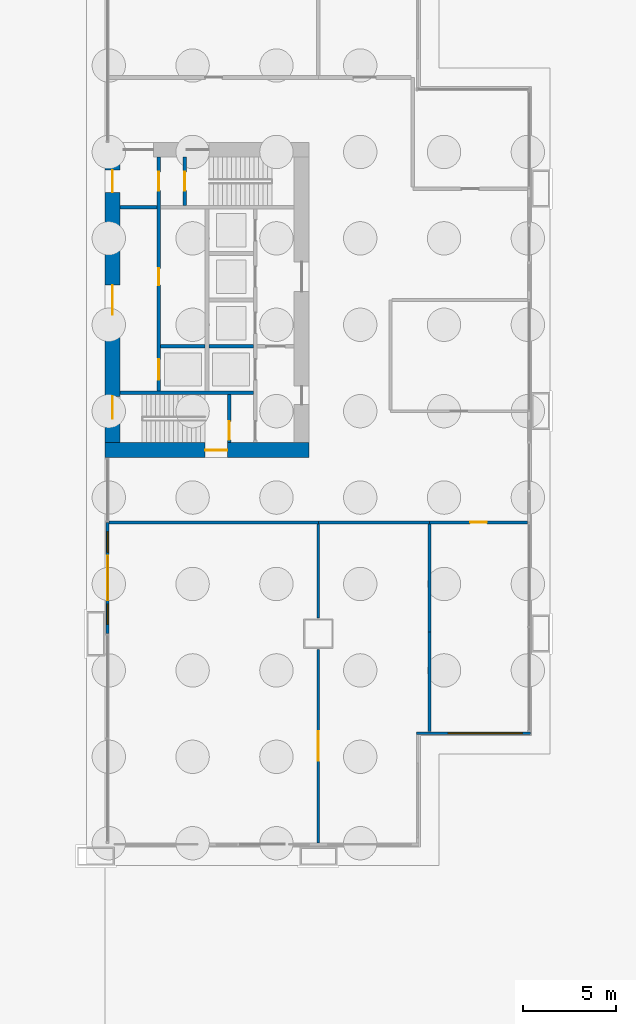
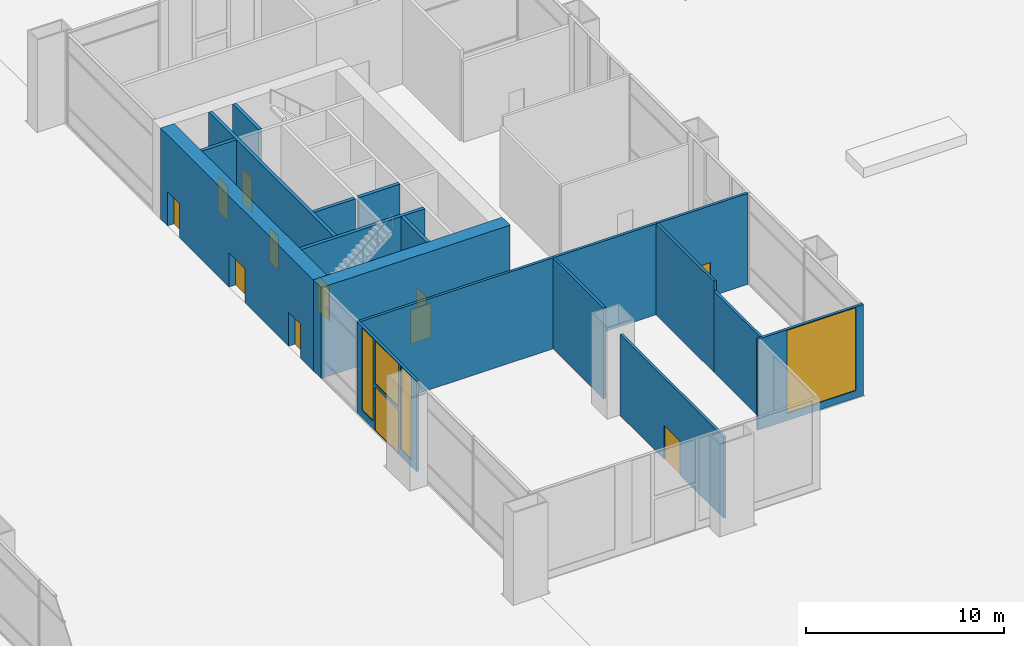
# One storey, part 22 of 29: 18 walls, 12 doors, 4 windows, 16 openings.
"""IFC4 building model written with IfcOpenShell, lengths in metres."""

from ifc_helpers import new_model, si_unit, direction, frame, frame_2d, origin, place, context, subcontext, project, spatial, rectangle, extrude, material, layer, layer_set, type_object, element, fill, save


model = new_model("IFC4")

# Units and contexts
model_context = context("Model", 3, precision=1e-05, world=origin(), true_north=direction((0.0, 1.0)))
body_context = subcontext(model_context, "Body", "Model", "MODEL_VIEW")
ifc_project = project(units=[si_unit("LENGTHUNIT", "METRE"), si_unit("AREAUNIT", "SQUARE_METRE"), si_unit("VOLUMEUNIT", "CUBIC_METRE"), si_unit("PLANEANGLEUNIT", "RADIAN"), si_unit("MASSUNIT", "GRAM", prefix="KILO")], contexts=[model_context])

# Site, building, storey
site_placement = place(None, origin())
site = spatial("IfcSite", under=ifc_project, at=site_placement, CompositionType="ELEMENT")
building_placement = place(site_placement, origin())
building = spatial("IfcBuilding", under=site, at=building_placement, Name="Kitamizu Gate Tower and Museum", CompositionType="ELEMENT")
storey_placement = place(building_placement, origin())
storey = spatial("IfcBuildingStorey", under=building, at=storey_placement, Name="L00", CompositionType="ELEMENT", Elevation=0.0)

# Wall, opening, door
ifc_material_1 = material(Name="Concrete Fc60", Category="concrete")
ifc_layer_1 = layer(ifc_material_1, 0.800048828125)
ifc_layer_set_1 = layer_set([ifc_layer_1], Name="Concrete Fc60")
wall_type_1 = type_object("IfcWallType", Name="Core wall 800", PredefinedType="SHEAR", material=ifc_layer_set_1)
wall_1_placement = place(storey_placement, frame((59.5, 21.89990234375, 0.0), z_axis=(0.0, 0.0, 1.0), x_axis=(-1.0, 0.0, 0.0)))
wall_1 = element("IfcWall", 1, at=wall_1_placement, inside=storey, type_object=wall_type_1, Name="Core wall ES", PredefinedType="SHEAR", context=body_context, shape_type="SweptSolid", body=[
    extrude(rectangle(XDim=11.0, YDim=0.800048828125, at=frame_2d((5.5, 0.0))), origin(), (0.0, 0.0, 1.0), 5.60009765625),
])
opening_1_placement = place(wall_1_placement, frame((4.39990234375, 0.0, 0.0)))
opening_1 = element("IfcOpeningElement", 2, at=opening_1_placement, cuts=wall_1, Name="Opening L00-036", PredefinedType="OPENING", context=body_context, shape_type="SweptSolid", body=[
    extrude(rectangle(XDim=1.199951171875, YDim=2.10009765625, at=frame_2d((0.60009765625, 1.050048828125))), frame((0.0, 0.41015625, 0.0), z_axis=(0.0, -1.0, 0.0), x_axis=(1.0, 0.0, 0.0)), (0.0, 0.0, 1.0), 0.820068359375),
])
ifc_material_2 = material(Name="Timber door set", Category="wood")
door_type_1 = type_object("IfcDoorType", Name="Exit door 1200", OperationType="DOUBLE_DOOR_SINGLE_SWING", PredefinedType="DOOR", material=ifc_material_2)
door_1_placement = place(opening_1_placement, origin())
door_1 = element("IfcDoor", 3, at=door_1_placement, inside=storey, type_object=door_type_1, Name="Stair exit door L00-036", OperationType="DOUBLE_DOOR_SINGLE_SWING", OverallHeight=2.10009765625, OverallWidth=1.199951171875, PredefinedType="DOOR", context=body_context, shape_type="SweptSolid", body=[
    extrude(rectangle(XDim=1.199951171875, YDim=2.10009765625, at=frame_2d((0.60009765625, 1.050048828125))), frame((0.0, 0.02490234375, 0.0), z_axis=(0.0, -1.0, 0.0), x_axis=(1.0, 0.0, 0.0)), (0.0, 0.0, 1.0), 0.050048828125),
])
fill(opening_1, door_1)

# Wall, openings, doors
wall_2_placement = place(storey_placement, frame((48.89990234375, 22.300048828125, 0.0), z_axis=(0.0, 0.0, 1.0), x_axis=(0.0, 1.0, 0.0)))
wall_2 = element("IfcWall", 4, at=wall_2_placement, inside=storey, type_object=wall_type_1, Name="Core wall EARC", PredefinedType="SHEAR", context=body_context, shape_type="SweptSolid", body=[
    extrude(rectangle(XDim=15.39990234375, YDim=0.800048828125, at=frame_2d((7.699951171875, 0.0))), origin(), (0.0, 0.0, 1.0), 5.60009765625),
])
opening_2_placement = place(wall_2_placement, frame((6.89990234375, 0.0, 0.0)))
opening_2 = element("IfcOpeningElement", 5, at=opening_2_placement, cuts=wall_2, Name="Opening L00-035", PredefinedType="OPENING", context=body_context, shape_type="SweptSolid", body=[
    extrude(rectangle(XDim=1.60009765625, YDim=2.10009765625, at=frame_2d((0.800048828125, 1.050048828125))), frame((0.0, 0.41015625, 0.0), z_axis=(0.0, -1.0, 0.0), x_axis=(1.0, 0.0, 0.0)), (0.0, 0.0, 1.0), 0.820068359375),
])
opening_3_placement = place(wall_2_placement, frame((1.300048828125, 0.0, 0.0)))
opening_3 = element("IfcOpeningElement", 6, at=opening_3_placement, cuts=wall_2, Name="Opening L00-953", PredefinedType="OPENING", context=body_context, shape_type="SweptSolid", body=[
    extrude(rectangle(XDim=1.199951171875, YDim=2.10009765625, at=frame_2d((0.60009765625, 1.050048828125))), frame((0.0, 0.41015625, 0.0), z_axis=(0.0, -1.0, 0.0), x_axis=(1.0, 0.0, 0.0)), (0.0, 0.0, 1.0), 0.820068359375),
])
opening_4_placement = place(wall_2_placement, frame((13.5, 0.0, 0.0)))
opening_4 = element("IfcOpeningElement", 7, at=opening_4_placement, cuts=wall_2, Name="Opening L00-954", PredefinedType="OPENING", context=body_context, shape_type="SweptSolid", body=[
    extrude(rectangle(XDim=1.199951171875, YDim=2.10009765625, at=frame_2d((0.60009765625, 1.050048828125))), frame((0.0, 0.41015625, 0.0), z_axis=(0.0, -1.0, 0.0), x_axis=(1.0, 0.0, 0.0)), (0.0, 0.0, 1.0), 0.820068359375),
])
ifc_material_3 = material(Name="Timber door set", Category="wood")
door_type_2 = type_object("IfcDoorType", Name="Entrance door 1600", OperationType="DOUBLE_DOOR_SINGLE_SWING", PredefinedType="DOOR", material=ifc_material_3)
door_2_placement = place(opening_2_placement, origin())
door_2 = element("IfcDoor", 8, at=door_2_placement, inside=storey, type_object=door_type_2, Name="Lobby door L00-035", OperationType="DOUBLE_DOOR_SINGLE_SWING", OverallHeight=2.10009765625, OverallWidth=1.60009765625, PredefinedType="DOOR", context=body_context, shape_type="SweptSolid", body=[
    extrude(rectangle(XDim=1.60009765625, YDim=2.10009765625, at=frame_2d((0.800048828125, 1.050048828125))), frame((0.0, 0.02490234375, 0.0), z_axis=(0.0, -1.0, 0.0), x_axis=(1.0, 0.0, 0.0)), (0.0, 0.0, 1.0), 0.050048828125),
])
fill(opening_2, door_2)
door_3_placement = place(opening_3_placement, origin())
door_3 = element("IfcDoor", 9, at=door_3_placement, inside=storey, type_object=door_type_1, Name="Final exit door L00-953", OperationType="DOUBLE_DOOR_SINGLE_SWING", OverallHeight=2.10009765625, OverallWidth=1.199951171875, PredefinedType="DOOR", context=body_context, shape_type="SweptSolid", body=[
    extrude(rectangle(XDim=1.199951171875, YDim=2.10009765625, at=frame_2d((0.60009765625, 1.050048828125))), frame((0.0, 0.02490234375, 0.0), z_axis=(0.0, -1.0, 0.0), x_axis=(1.0, 0.0, 0.0)), (0.0, 0.0, 1.0), 0.050048828125),
])
fill(opening_3, door_3)
door_4_placement = place(opening_4_placement, origin())
door_4 = element("IfcDoor", 10, at=door_4_placement, inside=storey, type_object=door_type_1, Name="Final exit door L00-954", OperationType="DOUBLE_DOOR_SINGLE_SWING", OverallHeight=2.10009765625, OverallWidth=1.199951171875, PredefinedType="DOOR", context=body_context, shape_type="SweptSolid", body=[
    extrude(rectangle(XDim=1.199951171875, YDim=2.10009765625, at=frame_2d((0.60009765625, 1.050048828125))), frame((0.0, 0.02490234375, 0.0), z_axis=(0.0, -1.0, 0.0), x_axis=(1.0, 0.0, 0.0)), (0.0, 0.0, 1.0), 0.050048828125),
])
fill(opening_4, door_4)

# Walls
ifc_material_4 = material(Name="Gypsum board on galvanised stud")
ifc_layer_2 = layer(ifc_material_4, 0.14990234375)
ifc_layer_set_2 = layer_set([ifc_layer_2], Name="Gypsum board on galvanised stud")
wall_type_2 = type_object("IfcWallType", Name="Partition 150", PredefinedType="PARTITIONING", material=ifc_layer_set_2)
wall_3_placement = place(storey_placement, frame((48.719970703125, 18.0, 0.0), z_axis=(0.0, 0.0, 1.0), x_axis=(1.0, 0.0, 0.0)))
element("IfcWall", 11, at=wall_3_placement, inside=storey, type_object=wall_type_2, Name="Partition L00-012", PredefinedType="PARTITIONING", context=body_context, shape_type="SweptSolid", body=[
    extrude(rectangle(XDim=11.280029296875, YDim=0.14990234375, at=frame_2d((5.64013671875, 0.0))), origin(), (0.0, 0.0, 1.0), 5.60009765625),
])
wall_4_placement = place(storey_placement, frame((60.0, 18.0, 0.0), z_axis=(0.0, 0.0, 1.0), x_axis=(1.0, 0.0, 0.0)))
element("IfcWall", 12, at=wall_4_placement, inside=storey, type_object=wall_type_2, Name="Partition L00-013", PredefinedType="PARTITIONING", context=body_context, shape_type="SweptSolid", body=[
    extrude(rectangle(XDim=6.0, YDim=0.14990234375, at=frame_2d((3.0, 0.0))), origin(), (0.0, 0.0, 1.0), 5.60009765625),
])

# Wall, opening, door
wall_5_placement = place(storey_placement, frame((66.0, 18.0, 0.0), z_axis=(0.0, 0.0, 1.0), x_axis=(1.0, 0.0, 0.0)))
wall_5 = element("IfcWall", 13, at=wall_5_placement, inside=storey, type_object=wall_type_2, Name="Partition L00-014", PredefinedType="PARTITIONING", context=body_context, shape_type="SweptSolid", body=[
    extrude(rectangle(XDim=5.280029296875, YDim=0.14990234375, at=frame_2d((2.64013671875, 0.0))), origin(), (0.0, 0.0, 1.0), 5.60009765625),
])
opening_5_placement = place(wall_5_placement, frame((2.18994140625, 0.0, 0.0)))
opening_5 = element("IfcOpeningElement", 14, at=opening_5_placement, cuts=wall_5, Name="Opening L00-002", PredefinedType="OPENING", context=body_context, shape_type="SweptSolid", body=[
    extrude(rectangle(XDim=0.89990234375, YDim=2.10009765625, at=frame_2d((0.449951171875, 1.050048828125))), frame((0.0, 0.0849609375, 0.0), z_axis=(0.0, -1.0, 0.0), x_axis=(1.0, 0.0, 0.0)), (0.0, 0.0, 1.0), 0.169921875),
])
ifc_material_5 = material(Name="Timber door set", Category="wood")
door_type_3 = type_object("IfcDoorType", Name="Room door 900", OperationType="NOTDEFINED", PredefinedType="DOOR", material=ifc_material_5)
door_5_placement = place(opening_5_placement, frame((0.89990234375, 0.0, 0.0), x_axis=(-1.0, 0.0, 0.0)))
door_5 = element("IfcDoor", 15, at=door_5_placement, inside=storey, type_object=door_type_3, Name="Door L00-002", OperationType="SINGLE_SWING_LEFT", OverallHeight=2.10009765625, OverallWidth=0.89990234375, PredefinedType="DOOR", context=body_context, shape_type="SweptSolid", body=[
    extrude(rectangle(XDim=0.89990234375, YDim=2.10009765625, at=frame_2d((0.449951171875, 1.050048828125))), frame((0.0, 0.02490234375, 0.0), z_axis=(0.0, -1.0, 0.0), x_axis=(1.0, 0.0, 0.0)), (0.0, 0.0, 1.0), 0.050048828125),
])
fill(opening_5, door_5)

wall_6_placement = place(storey_placement, frame((60.0, 0.719970703125, 0.0), z_axis=(0.0, 0.0, 1.0), x_axis=(0.0, 1.0, 0.0)))
wall_6 = element("IfcWall", 16, at=wall_6_placement, inside=storey, type_object=wall_type_2, Name="Partition L00-022", PredefinedType="PARTITIONING", context=body_context, shape_type="SweptSolid", body=[
    extrude(rectangle(XDim=10.429931640625, YDim=0.14990234375, at=frame_2d((5.21484375, 0.0))), origin(), (0.0, 0.0, 1.0), 5.0),
])
opening_6_placement = place(wall_6_placement, frame((4.4150390625, 0.0, 0.0)))
opening_6 = element("IfcOpeningElement", 17, at=opening_6_placement, cuts=wall_6, Name="Opening L00-001", PredefinedType="OPENING", context=body_context, shape_type="SweptSolid", body=[
    extrude(rectangle(XDim=1.60009765625, YDim=2.10009765625, at=frame_2d((0.800048828125, 1.050048828125))), frame((0.0, 0.0849609375, 0.0), z_axis=(0.0, -1.0, 0.0), x_axis=(1.0, 0.0, 0.0)), (0.0, 0.0, 1.0), 0.169921875),
])
ifc_material_6 = material(Name="Timber door set", Category="wood")
door_type_4 = type_object("IfcDoorType", Name="Double door 1600", OperationType="DOUBLE_DOOR_SINGLE_SWING", PredefinedType="DOOR", material=ifc_material_6)
door_6_placement = place(opening_6_placement, origin())
door_6 = element("IfcDoor", 18, at=door_6_placement, inside=storey, type_object=door_type_4, Name="Double door L00-001", OperationType="DOUBLE_DOOR_SINGLE_SWING", OverallHeight=2.10009765625, OverallWidth=1.60009765625, PredefinedType="DOOR", context=body_context, shape_type="SweptSolid", body=[
    extrude(rectangle(XDim=1.60009765625, YDim=2.10009765625, at=frame_2d((0.800048828125, 1.050048828125))), frame((0.0, 0.02490234375, 0.0), z_axis=(0.0, -1.0, 0.0), x_axis=(1.0, 0.0, 0.0)), (0.0, 0.0, 1.0), 0.050048828125),
])
fill(opening_6, door_6)

# Walls
wall_7_placement = place(storey_placement, frame((60.0, 12.85009765625, 0.0), z_axis=(0.0, 0.0, 1.0), x_axis=(0.0, 1.0, 0.0)))
element("IfcWall", 19, at=wall_7_placement, inside=storey, type_object=wall_type_2, Name="Partition L00-023", PredefinedType="PARTITIONING", context=body_context, shape_type="SweptSolid", body=[
    extrude(rectangle(XDim=5.074951171875, YDim=0.14990234375, at=frame_2d((2.53759765625, 0.0))), origin(), (0.0, 0.0, 1.0), 5.60009765625),
])
wall_8_placement = place(storey_placement, frame((66.0, 6.719970703125, 0.0), z_axis=(0.0, 0.0, 1.0), x_axis=(0.0, 1.0, 0.0)))
element("IfcWall", 20, at=wall_8_placement, inside=storey, type_object=wall_type_2, Name="Partition L00-024", PredefinedType="PARTITIONING", context=body_context, shape_type="SweptSolid", body=[
    extrude(rectangle(XDim=5.380126953125, YDim=0.14990234375, at=frame_2d((2.68994140625, 0.0))), origin(), (0.0, 0.0, 1.0), 5.0),
])
wall_9_placement = place(storey_placement, frame((66.0, 12.10009765625, 0.0), z_axis=(0.0, 0.0, 1.0), x_axis=(0.0, 1.0, 0.0)))
element("IfcWall", 21, at=wall_9_placement, inside=storey, type_object=wall_type_2, Name="Partition L00-025", PredefinedType="PARTITIONING", context=body_context, shape_type="SweptSolid", body=[
    extrude(rectangle(XDim=5.824951171875, YDim=0.14990234375, at=frame_2d((2.91259765625, 0.0))), origin(), (0.0, 0.0, 1.0), 5.60009765625),
])

# Wall, openings, doors
ifc_material_7 = material(Name="Concrete Fc42", Category="concrete")
ifc_layer_3 = layer(ifc_material_7, 0.199951171875)
ifc_layer_set_3 = layer_set([ifc_layer_3], Name="Concrete Fc42")
wall_type_3 = type_object("IfcWallType", Name="Shaft wall 200", PredefinedType="SOLIDWALL", material=ifc_layer_set_3)
wall_10_placement = place(storey_placement, frame((51.39990234375, 25.10009765625, 0.0), z_axis=(0.0, 0.0, 1.0), x_axis=(0.0, 1.0, 0.0)))
wall_10 = element("IfcWall", 22, at=wall_10_placement, inside=storey, type_object=wall_type_3, Name="Shaft wall EEAST", PredefinedType="SOLIDWALL", context=body_context, shape_type="SweptSolid", body=[
    extrude(rectangle(XDim=12.599853515625, YDim=0.199951171875, at=frame_2d((6.2998046875, 0.0))), origin(), (0.0, 0.0, 1.0), 5.60009765625),
])
opening_7_placement = place(wall_10_placement, frame((0.60009765625, 0.0, 0.0)))
opening_7 = element("IfcOpeningElement", 23, at=opening_7_placement, cuts=wall_10, Name="Opening LD", PredefinedType="OPENING", context=body_context, shape_type="SweptSolid", body=[
    extrude(rectangle(XDim=1.10009765625, YDim=2.10009765625, at=frame_2d((0.550048828125, 1.050048828125))), frame((0.0, 0.10986328125, 0.0), z_axis=(0.0, -1.0, 0.0), x_axis=(1.0, 0.0, 0.0)), (0.0, 0.0, 1.0), 0.219970703125),
])
opening_8_placement = place(wall_10_placement, frame((10.800048828125, 0.0, 0.0)))
opening_8 = element("IfcOpeningElement", 24, at=opening_8_placement, cuts=wall_10, Name="Opening L00-029", PredefinedType="OPENING", context=body_context, shape_type="SweptSolid", body=[
    extrude(rectangle(XDim=1.0, YDim=2.10009765625, at=frame_2d((0.5, 1.050048828125))), frame((0.0, 0.10986328125, 0.0), z_axis=(0.0, -1.0, 0.0), x_axis=(1.0, 0.0, 0.0)), (0.0, 0.0, 1.0), 0.219970703125),
])
opening_9_placement = place(wall_10_placement, frame((5.699951171875, 0.0, 0.0)))
opening_9 = element("IfcOpeningElement", 25, at=opening_9_placement, cuts=wall_10, Name="Opening L00-038", PredefinedType="OPENING", context=body_context, shape_type="SweptSolid", body=[
    extrude(rectangle(XDim=0.89990234375, YDim=2.10009765625, at=frame_2d((0.449951171875, 1.050048828125))), frame((0.0, 0.10986328125, 0.0), z_axis=(0.0, -1.0, 0.0), x_axis=(1.0, 0.0, 0.0)), (0.0, 0.0, 1.0), 0.219970703125),
])
ifc_material_8 = material(Name="Hollow metal door set")
door_type_5 = type_object("IfcDoorType", Name="Fire door 1000", OperationType="NOTDEFINED", PredefinedType="DOOR", material=ifc_material_8)
door_7_placement = place(opening_8_placement, frame((1.0, 0.0, 0.0), x_axis=(-1.0, 0.0, 0.0)))
door_7 = element("IfcDoor", 26, at=door_7_placement, inside=storey, type_object=door_type_5, Name="Stair lobby door L00-029", OperationType="SINGLE_SWING_RIGHT", OverallHeight=2.10009765625, OverallWidth=1.0, PredefinedType="DOOR", context=body_context, shape_type="SweptSolid", body=[
    extrude(rectangle(XDim=1.0, YDim=2.10009765625, at=frame_2d((0.5, 1.050048828125))), frame((0.0, 0.02490234375, 0.0), z_axis=(0.0, -1.0, 0.0), x_axis=(1.0, 0.0, 0.0)), (0.0, 0.0, 1.0), 0.050048828125),
])
fill(opening_8, door_7)
ifc_material_9 = material(Name="Hollow metal door set")
door_type_6 = type_object("IfcDoorType", Name="Landing door 1100", OperationType="SLIDING_TO_LEFT", PredefinedType="DOOR", material=ifc_material_9)
door_8_placement = place(opening_7_placement, origin())
door_8 = element("IfcDoor", 27, at=door_8_placement, inside=storey, type_object=door_type_6, Name="Landing door ESV1", OperationType="SLIDING_TO_LEFT", OverallHeight=2.10009765625, OverallWidth=1.10009765625, PredefinedType="DOOR", context=body_context, shape_type="SweptSolid", body=[
    extrude(rectangle(XDim=1.10009765625, YDim=2.10009765625, at=frame_2d((0.550048828125, 1.050048828125))), frame((0.0, 0.02490234375, 0.0), z_axis=(0.0, -1.0, 0.0), x_axis=(1.0, 0.0, 0.0)), (0.0, 0.0, 1.0), 0.050048828125),
])
fill(opening_7, door_8)
ifc_material_10 = material(Name="Timber door set", Category="wood")
door_type_7 = type_object("IfcDoorType", Name="Service door 900", OperationType="NOTDEFINED", PredefinedType="DOOR", material=ifc_material_10)
door_9_placement = place(opening_9_placement, frame((0.89990234375, 0.0, 0.0), x_axis=(-1.0, 0.0, 0.0)))
door_9 = element("IfcDoor", 28, at=door_9_placement, inside=storey, type_object=door_type_7, Name="Service door L00-038", OperationType="SINGLE_SWING_RIGHT", OverallHeight=2.10009765625, OverallWidth=0.89990234375, PredefinedType="DOOR", context=body_context, shape_type="SweptSolid", body=[
    extrude(rectangle(XDim=0.89990234375, YDim=2.10009765625, at=frame_2d((0.449951171875, 1.050048828125))), frame((0.0, 0.02490234375, 0.0), z_axis=(0.0, -1.0, 0.0), x_axis=(1.0, 0.0, 0.0)), (0.0, 0.0, 1.0), 0.050048828125),
])
fill(opening_9, door_9)

# Wall
wall_11_placement = place(storey_placement, frame((56.5, 25.0, 0.0), z_axis=(0.0, 0.0, 1.0), x_axis=(-1.0, 0.0, 0.0)))
element("IfcWall", 29, at=wall_11_placement, inside=storey, type_object=wall_type_3, Name="Shaft wall ESB", PredefinedType="SOLIDWALL", context=body_context, shape_type="SweptSolid", body=[
    extrude(rectangle(XDim=7.199951171875, YDim=0.199951171875, at=frame_2d((3.60009765625, 0.0))), origin(), (0.0, 0.0, 1.0), 5.60009765625),
])

# Wall, opening, door
wall_12_placement = place(storey_placement, frame((55.199951171875, 22.300048828125, 0.0), z_axis=(0.0, 0.0, 1.0), x_axis=(0.0, 1.0, 0.0)))
wall_12 = element("IfcWall", 30, at=wall_12_placement, inside=storey, type_object=wall_type_3, Name="Shaft wall ESZ", PredefinedType="SOLIDWALL", context=body_context, shape_type="SweptSolid", body=[
    extrude(rectangle(XDim=2.599853515625, YDim=0.199951171875, at=frame_2d((1.2998046875, 0.0))), origin(), (0.0, 0.0, 1.0), 5.60009765625),
])
opening_10_placement = place(wall_12_placement, frame((0.14990234375, 0.0, 0.0)))
opening_10 = element("IfcOpeningElement", 31, at=opening_10_placement, cuts=wall_12, Name="Opening L00-027", PredefinedType="OPENING", context=body_context, shape_type="SweptSolid", body=[
    extrude(rectangle(XDim=1.0, YDim=2.10009765625, at=frame_2d((0.5, 1.050048828125))), frame((0.0, 0.10986328125, 0.0), z_axis=(0.0, -1.0, 0.0), x_axis=(1.0, 0.0, 0.0)), (0.0, 0.0, 1.0), 0.219970703125),
])
door_10_placement = place(opening_10_placement, origin())
door_10 = element("IfcDoor", 32, at=door_10_placement, inside=storey, type_object=door_type_5, Name="Stair door L00-027", OperationType="SINGLE_SWING_RIGHT", OverallHeight=2.10009765625, OverallWidth=1.0, PredefinedType="DOOR", context=body_context, shape_type="SweptSolid", body=[
    extrude(rectangle(XDim=1.0, YDim=2.10009765625, at=frame_2d((0.5, 1.050048828125))), frame((0.0, 0.02490234375, 0.0), z_axis=(0.0, -1.0, 0.0), x_axis=(1.0, 0.0, 0.0)), (0.0, 0.0, 1.0), 0.050048828125),
])
fill(opening_10, door_10)

wall_13_placement = place(storey_placement, frame((52.800048828125, 35.10009765625, 0.0), z_axis=(0.0, 0.0, 1.0), x_axis=(0.0, 1.0, 0.0)))
wall_13 = element("IfcWall", 33, at=wall_13_placement, inside=storey, type_object=wall_type_3, Name="Shaft wall ENZ", PredefinedType="SOLIDWALL", context=body_context, shape_type="SweptSolid", body=[
    extrude(rectangle(XDim=2.599853515625, YDim=0.199951171875, at=frame_2d((1.2998046875, 0.0))), origin(), (0.0, 0.0, 1.0), 5.60009765625),
])
opening_11_placement = place(wall_13_placement, frame((0.800048828125, 0.0, 0.0)))
opening_11 = element("IfcOpeningElement", 34, at=opening_11_placement, cuts=wall_13, Name="Opening L00-030", PredefinedType="OPENING", context=body_context, shape_type="SweptSolid", body=[
    extrude(rectangle(XDim=1.0, YDim=2.10009765625, at=frame_2d((0.5, 1.050048828125))), frame((0.0, 0.10986328125, 0.0), z_axis=(0.0, -1.0, 0.0), x_axis=(1.0, 0.0, 0.0)), (0.0, 0.0, 1.0), 0.219970703125),
])
door_11_placement = place(opening_11_placement, frame((1.0, 0.0, 0.0), x_axis=(-1.0, 0.0, 0.0)))
door_11 = element("IfcDoor", 35, at=door_11_placement, inside=storey, type_object=door_type_5, Name="Stair door L00-030", OperationType="SINGLE_SWING_LEFT", OverallHeight=2.10009765625, OverallWidth=1.0, PredefinedType="DOOR", context=body_context, shape_type="SweptSolid", body=[
    extrude(rectangle(XDim=1.0, YDim=2.10009765625, at=frame_2d((0.5, 1.050048828125))), frame((0.0, 0.02490234375, 0.0), z_axis=(0.0, -1.0, 0.0), x_axis=(1.0, 0.0, 0.0)), (0.0, 0.0, 1.0), 0.050048828125),
])
fill(opening_11, door_11)

# Walls
wall_14_placement = place(storey_placement, frame((51.300048828125, 35.0, 0.0), z_axis=(0.0, 0.0, 1.0), x_axis=(-1.0, 0.0, 0.0)))
element("IfcWall", 36, at=wall_14_placement, inside=storey, type_object=wall_type_3, Name="Shaft wall ENBE", PredefinedType="SOLIDWALL", context=body_context, shape_type="SweptSolid", body=[
    extrude(rectangle(XDim=2.0, YDim=0.199951171875, at=frame_2d((1.0, 0.0))), origin(), (0.0, 0.0, 1.0), 5.60009765625),
])
for number, where, z_axis, x_axis, name in (
    (37, (56.5, 27.5, 0.0), (0.0, 0.0, 1.0), (-1.0, 0.0, 0.0), "Shaft wall EDVW0"),
    (38, (53.89990234375, 27.5, 0.0), (0.0, 0.0, 1.0), (-1.0, 0.0, 0.0), "Shaft wall EDVE0"),
):
    element("IfcWall", number, at=place(storey_placement, frame(where, z_axis=z_axis, x_axis=x_axis)), inside=storey, type_object=wall_type_3, Name=name, PredefinedType="SOLIDWALL", context=body_context, shape_type="SweptSolid", body=[
        extrude(rectangle(XDim=2.39990234375, YDim=0.199951171875, at=frame_2d((1.199951171875, 0.0))), origin(), (0.0, 0.0, 1.0), 5.60009765625),
    ])

# Wall, openings, door, windows
ifc_material_11 = material(Name="Bronze anodised aluminium frame with insulated spandrel and tinted glass", Category="aluminium")
ifc_layer_4 = layer(ifc_material_11, 0.14990234375)
ifc_layer_set_4 = layer_set([ifc_layer_4], Name="Bronze anodised aluminium frame with insulated spandrel and tinted glass")
wall_type_4 = type_object("IfcWallType", Name="WINDOW WALL 150 BRONZE FRAME EI 60", PredefinedType="ELEMENTEDWALL", material=ifc_layer_set_4)
wall_15_placement = place(storey_placement, frame((48.635009765625, 12.0, 0.0), z_axis=(0.0, 0.0, 1.0), x_axis=(0.0, 1.0, 0.0)))
wall_15 = element("IfcWall", 39, at=wall_15_placement, inside=storey, type_object=wall_type_4, Name="Window wall west L00", PredefinedType="ELEMENTEDWALL", context=body_context, shape_type="SweptSolid", body=[
    extrude(rectangle(XDim=6.0, YDim=0.14990234375, at=frame_2d((3.0, 0.0))), origin(), (0.0, 0.0, 1.0), 5.60009765625),
])
opening_12_placement = place(wall_15_placement, frame((0.5, 0.0, 0.449951171875)))
opening_12 = element("IfcOpeningElement", 40, at=opening_12_placement, cuts=wall_15, Name="Opening W9", PredefinedType="OPENING", context=body_context, shape_type="SweptSolid", body=[
    extrude(rectangle(XDim=1.10009765625, YDim=5.10009765625, at=frame_2d((0.550048828125, 2.550048828125))), frame((0.0, 0.0849609375, 0.0), z_axis=(0.0, -1.0, 0.0), x_axis=(1.0, 0.0, 0.0)), (0.0, 0.0, 1.0), 0.169921875),
])
opening_13_placement = place(wall_15_placement, frame((4.39990234375, 0.0, 0.449951171875)))
opening_13 = element("IfcOpeningElement", 41, at=opening_13_placement, cuts=wall_15, Name="Opening W9", PredefinedType="OPENING", context=body_context, shape_type="SweptSolid", body=[
    extrude(rectangle(XDim=1.10009765625, YDim=5.10009765625, at=frame_2d((0.550048828125, 2.550048828125))), frame((0.0, 0.0849609375, 0.0), z_axis=(0.0, -1.0, 0.0), x_axis=(1.0, 0.0, 0.0)), (0.0, 0.0, 1.0), 0.169921875),
])
opening_14_placement = place(wall_15_placement, frame((1.800048828125, 0.0, 0.0)))
opening_14 = element("IfcOpeningElement", 42, at=opening_14_placement, cuts=wall_15, Name="Opening L00-904", PredefinedType="OPENING", context=body_context, shape_type="SweptSolid", body=[
    extrude(rectangle(XDim=2.39990234375, YDim=2.699951171875, at=frame_2d((1.199951171875, 1.35009765625))), frame((0.0, 0.0849609375, 0.0), z_axis=(0.0, -1.0, 0.0), x_axis=(1.0, 0.0, 0.0)), (0.0, 0.0, 1.0), 0.169921875),
])
opening_15_placement = place(wall_15_placement, frame((1.800048828125, 0.0, 2.89990234375)))
opening_15 = element("IfcOpeningElement", 43, at=opening_15_placement, cuts=wall_15, Name="Opening W13", PredefinedType="OPENING", context=body_context, shape_type="SweptSolid", body=[
    extrude(rectangle(XDim=2.39990234375, YDim=2.64990234375, at=frame_2d((1.199951171875, 1.324951171875))), frame((0.0, 0.0849609375, 0.0), z_axis=(0.0, -1.0, 0.0), x_axis=(1.0, 0.0, 0.0)), (0.0, 0.0, 1.0), 0.169921875),
])
ifc_material_12 = material(Name="Bronze anodised aluminium frame, tinted toughened glass", Category="aluminium")
door_type_8 = type_object("IfcDoorType", Name="ENTRANCE DOOR 2400 x 2700 FIRE RATED", OperationType="DOUBLE_DOOR_SINGLE_SWING", PredefinedType="DOOR", material=ifc_material_12)
door_12_placement = place(opening_14_placement, origin())
door_12 = element("IfcDoor", 44, at=door_12_placement, inside=storey, type_object=door_type_8, Name="Entrance door L00-904", OperationType="DOUBLE_DOOR_SINGLE_SWING", OverallHeight=2.699951171875, OverallWidth=2.39990234375, PredefinedType="DOOR", context=body_context, shape_type="SweptSolid", body=[
    extrude(rectangle(XDim=2.39990234375, YDim=2.699951171875, at=frame_2d((1.199951171875, 1.35009765625))), frame((0.0, 0.02490234375, 0.0), z_axis=(0.0, -1.0, 0.0), x_axis=(1.0, 0.0, 0.0)), (0.0, 0.0, 1.0), 0.050048828125),
])
fill(opening_14, door_12)
ifc_material_13 = material(Name="Bronze anodised aluminium frame, tinted triple glazing", Category="aluminium")
window_type_1 = type_object("IfcWindowType", Name="WINDOW 1100 x 5100 SILL 450", PartitioningType="SINGLE_PANEL", PredefinedType="WINDOW", material=ifc_material_13)
window_1_placement = place(opening_12_placement, origin())
window_1 = element("IfcWindow", 45, at=window_1_placement, inside=storey, type_object=window_type_1, Name="Window W9 L00", OverallHeight=5.10009765625, OverallWidth=1.10009765625, PartitioningType="SINGLE_PANEL", PredefinedType="WINDOW", context=body_context, shape_type="SweptSolid", body=[
    extrude(rectangle(XDim=1.10009765625, YDim=5.10009765625, at=frame_2d((0.550048828125, 2.550048828125))), frame((0.0, 0.030029296875, 0.0), z_axis=(0.0, -1.0, 0.0), x_axis=(1.0, 0.0, 0.0)), (0.0, 0.0, 1.0), 0.06005859375),
])
fill(opening_12, window_1)
window_2_placement = place(opening_13_placement, origin())
window_2 = element("IfcWindow", 46, at=window_2_placement, inside=storey, type_object=window_type_1, Name="Window W9 L00", OverallHeight=5.10009765625, OverallWidth=1.10009765625, PartitioningType="SINGLE_PANEL", PredefinedType="WINDOW", context=body_context, shape_type="SweptSolid", body=[
    extrude(rectangle(XDim=1.10009765625, YDim=5.10009765625, at=frame_2d((0.550048828125, 2.550048828125))), frame((0.0, 0.030029296875, 0.0), z_axis=(0.0, -1.0, 0.0), x_axis=(1.0, 0.0, 0.0)), (0.0, 0.0, 1.0), 0.06005859375),
])
fill(opening_13, window_2)
ifc_material_14 = material(Name="Bronze anodised aluminium frame, tinted triple glazing", Category="aluminium")
window_type_2 = type_object("IfcWindowType", Name="WINDOW 2400 x 2650 SILL 2900", PartitioningType="SINGLE_PANEL", PredefinedType="WINDOW", material=ifc_material_14)
window_3_placement = place(opening_15_placement, origin())
window_3 = element("IfcWindow", 47, at=window_3_placement, inside=storey, type_object=window_type_2, Name="Window W13 L00", OverallHeight=2.64990234375, OverallWidth=2.39990234375, PartitioningType="SINGLE_PANEL", PredefinedType="WINDOW", context=body_context, shape_type="SweptSolid", body=[
    extrude(rectangle(XDim=2.39990234375, YDim=2.64990234375, at=frame_2d((1.199951171875, 1.324951171875))), frame((0.0, 0.030029296875, 0.0), z_axis=(0.0, -1.0, 0.0), x_axis=(1.0, 0.0, 0.0)), (0.0, 0.0, 1.0), 0.06005859375),
])
fill(opening_15, window_3)

# Wall, opening, window
wall_16_placement = place(storey_placement, frame((65.2900390625, 6.635009765625, 0.0), z_axis=(0.0, 0.0, 1.0), x_axis=(1.0, 0.0, 0.0)))
wall_16 = element("IfcWall", 48, at=wall_16_placement, inside=storey, type_object=wall_type_4, Name="Window wall south L00", PredefinedType="ELEMENTEDWALL", context=body_context, shape_type="SweptSolid", body=[
    extrude(rectangle(XDim=6.14990234375, YDim=0.14990234375, at=frame_2d((3.074951171875, 0.0))), origin(), (0.0, 0.0, 1.0), 5.60009765625),
])
opening_16_placement = place(wall_16_placement, frame((1.7099609375, 0.0, 0.449951171875)))
opening_16 = element("IfcOpeningElement", 49, at=opening_16_placement, cuts=wall_16, Name="Opening W22", PredefinedType="OPENING", context=body_context, shape_type="SweptSolid", body=[
    extrude(rectangle(XDim=4.0, YDim=5.10009765625, at=frame_2d((2.0, 2.550048828125))), frame((0.0, 0.0849609375, 0.0), z_axis=(0.0, -1.0, 0.0), x_axis=(1.0, 0.0, 0.0)), (0.0, 0.0, 1.0), 0.169921875),
])
ifc_material_15 = material(Name="Bronze anodised aluminium frame, tinted triple glazing", Category="aluminium")
window_type_3 = type_object("IfcWindowType", Name="WINDOW 4000 x 5100 SILL 450", PartitioningType="SINGLE_PANEL", PredefinedType="WINDOW", material=ifc_material_15)
window_4_placement = place(opening_16_placement, origin())
window_4 = element("IfcWindow", 50, at=window_4_placement, inside=storey, type_object=window_type_3, Name="Window W22 L00", OverallHeight=5.10009765625, OverallWidth=4.0, PartitioningType="SINGLE_PANEL", PredefinedType="WINDOW", context=body_context, shape_type="SweptSolid", body=[
    extrude(rectangle(XDim=4.0, YDim=5.10009765625, at=frame_2d((2.0, 2.550048828125))), frame((0.0, 0.030029296875, 0.0), z_axis=(0.0, -1.0, 0.0), x_axis=(1.0, 0.0, 0.0)), (0.0, 0.0, 1.0), 0.06005859375),
])
fill(opening_16, window_4)

save(model, "model.ifc")
